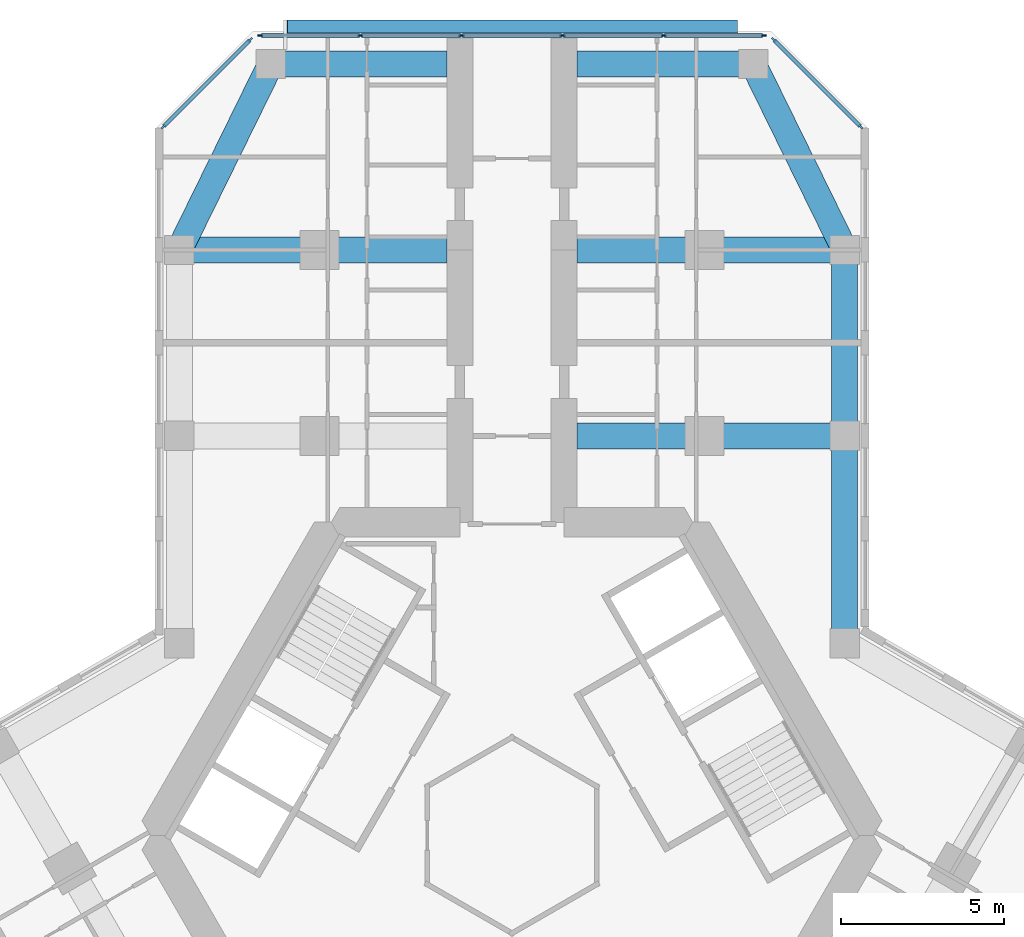
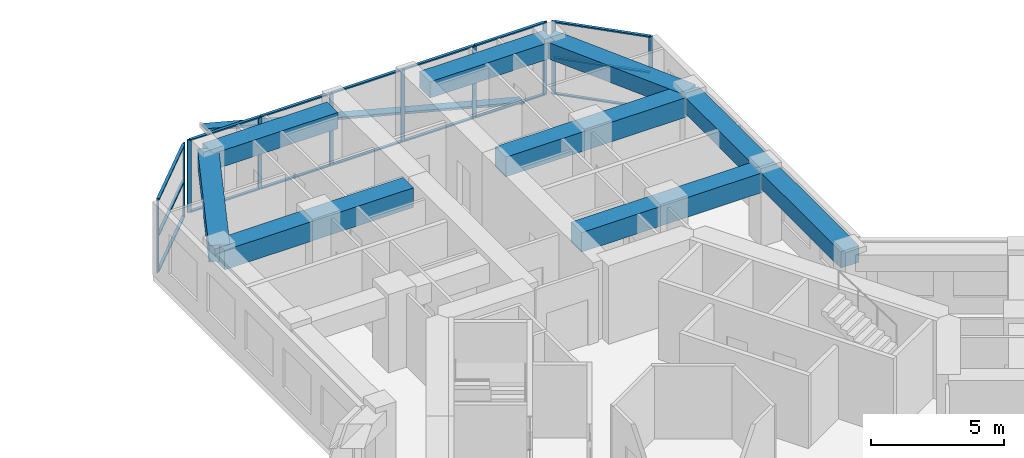
# One storey, part 7 of 19: 27 members, 9 beams, 3 elements without a shape of their own.
"""IFC4 building model written with IfcOpenShell, lengths in metres."""

from ifc_helpers import new_model, si_unit, direction, frame, origin, origin_2d, place, context, subcontext, project, spatial, rectangle, extrude, material, material_profile, profile_set, type_object, element, aggregate, save


model = new_model("IFC4")

# Units and contexts
model_context = context("Model", 3, precision=1e-05, world=origin(), true_north=direction((0.0, 1.0)))
body_context = subcontext(model_context, "Body", "Model", "MODEL_VIEW")
ifc_project = project(units=[si_unit("LENGTHUNIT", "METRE"), si_unit("AREAUNIT", "SQUARE_METRE"), si_unit("VOLUMEUNIT", "CUBIC_METRE"), si_unit("PLANEANGLEUNIT", "RADIAN"), si_unit("MASSUNIT", "GRAM", prefix="KILO")], contexts=[model_context])

# Site, building, storey
site_placement = place(None, origin())
site = spatial("IfcSite", under=ifc_project, at=site_placement, CompositionType="ELEMENT")
building_placement = place(site_placement, origin())
building = spatial("IfcBuilding", under=site, at=building_placement, Name="Kosmar Iwan School Tower", CompositionType="ELEMENT")
storey_placement = place(building_placement, frame((0.0, 0.0, 168.800048828125)))
storey = spatial("IfcBuildingStorey", under=building, at=storey_placement, Name="L42", CompositionType="ELEMENT", Elevation=168.800048828125)

# Member
ifc_material_1 = material(Name="Black anodised aluminium", Category="aluminium")
ifc_material_profile_1 = material_profile(ifc_material_1, rectangle(XDim=0.10009765625, YDim=0.39990234375, at=origin_2d()), Name="FIN 100x400")
ifc_profile_set_1 = profile_set([ifc_material_profile_1], Name="Black anodised aluminium")
member_type_1 = type_object("IfcMemberType", Name="Diagonal fin 100x400", PredefinedType="USERDEFINED", material=ifc_profile_set_1)
member_1_placement = place(storey_placement, frame((6.898193359375, 24.800048828125, -0.150146484375), z_axis=(-0.967599450335, 0.0, 0.252490205179), x_axis=(0.252490205179, 0.0, 0.967599450335)))
element("IfcMember", 1, at=member_1_placement, inside=storey, type_object=member_type_1, Name="Diagonal fin L42-F08", ObjectType="FIN", PredefinedType="USERDEFINED", context=body_context, shape_type="SweptSolid", body=[
    extrude(rectangle(XDim=0.10009765625, YDim=0.39990234375, at=origin_2d()), origin(), (0.0, 0.0, 1.0), 14.25830078125),
])

# Curtain wall, members
ifc_material_2 = material(Name="Dark glass in black aluminium frame", Category="aluminium")
curtain_wall_type_1 = type_object("IfcCurtainWallType", Name="Chamfer curtain wall dark glass", PredefinedType="USERDEFINED", material=ifc_material_2)
curtain_wall_1_placement = place(storey_placement, origin())
curtain_wall_1 = element("IfcCurtainWall", 2, at=curtain_wall_1_placement, inside=storey, type_object=curtain_wall_type_1, Name="Curtain wall L42-F07", ObjectType="FACETED CURTAIN WALL", PredefinedType="USERDEFINED")
ifc_material_3 = material(Name="Black anodised aluminium", Category="aluminium")
ifc_material_profile_2 = material_profile(ifc_material_3, rectangle(XDim=0.06005859375, YDim=0.159912109375, at=origin_2d()), Name="MULLION 60x160")
ifc_profile_set_2 = profile_set([ifc_material_profile_2], Name="Black anodised aluminium")
member_type_2 = type_object("IfcMemberType", Name="Mullion 60x160", PredefinedType="MULLION", material=ifc_profile_set_2)
member_2_placement = place(storey_placement, frame((10.69775390625, 21.7255859375, 0.0), z_axis=(0.0, 0.0, 1.0), x_axis=(-0.707106781187, -0.707106781187, 0.0)))
member_2 = element("IfcMember", 3, at=member_2_placement, type_object=member_type_2, Name="CW2 mullion 1", PredefinedType="MULLION", context=body_context, shape_type="SweptSolid", body=[
    extrude(rectangle(XDim=0.06005859375, YDim=0.159912109375, at=origin_2d()), origin(), (0.0, 0.0, 1.0), 3.349853515625),
])
member_3_placement = place(storey_placement, frame((8.025390625, 24.397705078125, 0.0), z_axis=(0.0, 0.0, 1.0), x_axis=(-0.707106781187, -0.707106781187, 0.0)))
member_3 = element("IfcMember", 4, at=member_3_placement, type_object=member_type_2, Name="CW2 mullion 2", PredefinedType="MULLION", context=body_context, shape_type="SweptSolid", body=[
    extrude(rectangle(XDim=0.06005859375, YDim=0.159912109375, at=origin_2d()), origin(), (0.0, 0.0, 1.0), 3.349853515625),
])

ifc_material_4 = material(Name="Dark glass in black aluminium frame", Category="aluminium")
curtain_wall_type_2 = type_object("IfcCurtainWallType", Name="Tower curtain wall dark glass", PredefinedType="USERDEFINED", material=ifc_material_4)
curtain_wall_2_placement = place(storey_placement, origin())
curtain_wall_2 = element("IfcCurtainWall", 5, at=curtain_wall_2_placement, inside=storey, type_object=curtain_wall_type_2, Name="Curtain wall L42-F08", ObjectType="UNITISED CURTAIN WALL", PredefinedType="USERDEFINED")
member_4_placement = place(storey_placement, frame((7.71826171875, 24.52490234375, 0.0), z_axis=(0.0, 0.0, 1.0), x_axis=(0.0, -1.0, 0.0)))
member_4 = element("IfcMember", 6, at=member_4_placement, type_object=member_type_2, Name="CW1 mullion 1", PredefinedType="MULLION", context=body_context, shape_type="SweptSolid", body=[
    extrude(rectangle(XDim=0.06005859375, YDim=0.159912109375, at=origin_2d()), origin(), (0.0, 0.0, 1.0), 3.349853515625),
])
member_5_placement = place(storey_placement, frame((4.64892578125, 24.52490234375, 0.0), z_axis=(0.0, 0.0, 1.0), x_axis=(0.0, -1.0, 0.0)))
member_5 = element("IfcMember", 7, at=member_5_placement, type_object=member_type_2, Name="CW1 mullion 2", PredefinedType="MULLION", context=body_context, shape_type="SweptSolid", body=[
    extrude(rectangle(XDim=0.06005859375, YDim=0.159912109375, at=origin_2d()), origin(), (0.0, 0.0, 1.0), 3.349853515625),
])
member_6_placement = place(storey_placement, frame((1.549560546875, 24.52490234375, 0.0), z_axis=(0.0, 0.0, 1.0), x_axis=(0.0, -1.0, 0.0)))
member_6 = element("IfcMember", 8, at=member_6_placement, type_object=member_type_2, Name="CW1 mullion 3", PredefinedType="MULLION", context=body_context, shape_type="SweptSolid", body=[
    extrude(rectangle(XDim=0.06005859375, YDim=0.159912109375, at=origin_2d()), origin(), (0.0, 0.0, 1.0), 3.349853515625),
])
member_7_placement = place(storey_placement, frame((-1.549560546875, 24.52490234375, 0.0), z_axis=(0.0, 0.0, 1.0), x_axis=(0.0, -1.0, 0.0)))
member_7 = element("IfcMember", 9, at=member_7_placement, type_object=member_type_2, Name="CW1 mullion 4", PredefinedType="MULLION", context=body_context, shape_type="SweptSolid", body=[
    extrude(rectangle(XDim=0.06005859375, YDim=0.159912109375, at=origin_2d()), origin(), (0.0, 0.0, 1.0), 3.349853515625),
])
member_8_placement = place(storey_placement, frame((-4.64892578125, 24.52490234375, 0.0), z_axis=(0.0, 0.0, 1.0), x_axis=(0.0, -1.0, 0.0)))
member_8 = element("IfcMember", 10, at=member_8_placement, type_object=member_type_2, Name="CW1 mullion 5", PredefinedType="MULLION", context=body_context, shape_type="SweptSolid", body=[
    extrude(rectangle(XDim=0.06005859375, YDim=0.159912109375, at=origin_2d()), origin(), (0.0, 0.0, 1.0), 3.349853515625),
])
member_9_placement = place(storey_placement, frame((-7.71826171875, 24.52490234375, 0.0), z_axis=(0.0, 0.0, 1.0), x_axis=(0.0, -1.0, 0.0)))
member_9 = element("IfcMember", 11, at=member_9_placement, type_object=member_type_2, Name="CW1 mullion 6", PredefinedType="MULLION", context=body_context, shape_type="SweptSolid", body=[
    extrude(rectangle(XDim=0.06005859375, YDim=0.159912109375, at=origin_2d()), origin(), (0.0, 0.0, 1.0), 3.349853515625),
])

curtain_wall_3_placement = place(storey_placement, origin())
curtain_wall_3 = element("IfcCurtainWall", 12, at=curtain_wall_3_placement, inside=storey, type_object=curtain_wall_type_1, Name="Curtain wall L42-F09", ObjectType="FACETED CURTAIN WALL", PredefinedType="USERDEFINED")
member_10_placement = place(storey_placement, frame((-8.025390625, 24.397705078125, 0.0), z_axis=(0.0, 0.0, 1.0), x_axis=(0.707106781187, -0.707106781187, 0.0)))
member_10 = element("IfcMember", 13, at=member_10_placement, type_object=member_type_2, Name="CW2 mullion 1", PredefinedType="MULLION", context=body_context, shape_type="SweptSolid", body=[
    extrude(rectangle(XDim=0.06005859375, YDim=0.159912109375, at=origin_2d()), origin(), (0.0, 0.0, 1.0), 3.349853515625),
])
member_11_placement = place(storey_placement, frame((-10.69775390625, 21.7255859375, 0.0), z_axis=(0.0, 0.0, 1.0), x_axis=(0.707106781187, -0.707106781187, 0.0)))
member_11 = element("IfcMember", 14, at=member_11_placement, type_object=member_type_2, Name="CW2 mullion 2", PredefinedType="MULLION", context=body_context, shape_type="SweptSolid", body=[
    extrude(rectangle(XDim=0.06005859375, YDim=0.159912109375, at=origin_2d()), origin(), (0.0, 0.0, 1.0), 3.349853515625),
])

# Beams
ifc_material_5 = material(Name="Concrete C50/60", Category="concrete")
ifc_material_profile_3 = material_profile(ifc_material_5, rectangle(XDim=0.800048828125, YDim=0.75, at=origin_2d()), Name="RC 800x750")
ifc_profile_set_3 = profile_set([ifc_material_profile_3], Name="Concrete C50/60")
beam_type_1 = type_object("IfcBeamType", Name="RC edge beam 800x750", PredefinedType="BEAM", material=ifc_profile_set_3)
beam_1_placement = place(storey_placement, frame((10.199951171875, 5.888916015625, 2.974853515625), z_axis=(0.0, 1.0, 0.0), x_axis=(-1.0, 0.0, 0.0)))
element("IfcBeam", 15, at=beam_1_placement, inside=storey, type_object=beam_type_1, Name="Edge beam AR1", PredefinedType="BEAM", context=body_context, shape_type="SweptSolid", body=[
    extrude(rectangle(XDim=0.800048828125, YDim=0.75, at=origin_2d()), origin(), (0.0, 0.0, 1.0), 6.361083984375),
])
beam_2_placement = place(storey_placement, frame((10.199951171875, 12.25, 2.974853515625), z_axis=(0.0, 1.0, 0.0), x_axis=(-1.0, 0.0, 0.0)))
element("IfcBeam", 16, at=beam_2_placement, inside=storey, type_object=beam_type_1, Name="Edge beam AR2", PredefinedType="BEAM", context=body_context, shape_type="SweptSolid", body=[
    extrude(rectangle(XDim=0.800048828125, YDim=0.75, at=origin_2d()), origin(), (0.0, 0.0, 1.0), 5.699951171875),
])
ifc_material_6 = material(Name="Concrete C50/60", Category="concrete")
ifc_material_profile_4 = material_profile(ifc_material_6, rectangle(XDim=0.800048828125, YDim=0.75, at=origin_2d()), Name="RC 800x750")
ifc_profile_set_4 = profile_set([ifc_material_profile_4], Name="Concrete C50/60")
beam_type_2 = type_object("IfcBeamType", Name="RC tip beam 800x750", PredefinedType="BEAM", material=ifc_profile_set_4)
beam_3_placement = place(storey_placement, frame((-10.199951171875, 17.949951171875, 2.974853515625), z_axis=(0.440913116462, 0.897549788999, 0.0), x_axis=(-0.897549788999, 0.440913116462, 0.0)))
element("IfcBeam", 17, at=beam_3_placement, inside=storey, type_object=beam_type_2, Name="Tip beam AL", PredefinedType="BEAM", context=body_context, shape_type="SweptSolid", body=[
    extrude(rectangle(XDim=0.800048828125, YDim=0.75, at=origin_2d()), origin(), (0.0, 0.0, 1.0), 6.3505859375),
])
beam_4_placement = place(storey_placement, frame((-7.39990234375, 23.64990234375, 2.974853515625), z_axis=(1.0, 0.0, 0.0), x_axis=(0.0, 1.0, 0.0)))
element("IfcBeam", 18, at=beam_4_placement, inside=storey, type_object=beam_type_2, Name="Tip beam AL to corridor wall", PredefinedType="BEAM", context=body_context, shape_type="SweptSolid", body=[
    extrude(rectangle(XDim=0.800048828125, YDim=0.75, at=origin_2d()), origin(), (0.0, 0.0, 1.0), 5.39990234375),
])
beam_5_placement = place(storey_placement, frame((10.199951171875, 17.949951171875, 2.974853515625), z_axis=(-0.440913116462, 0.897549788999, 0.0), x_axis=(-0.897549788999, -0.440913116462, 0.0)))
element("IfcBeam", 19, at=beam_5_placement, inside=storey, type_object=beam_type_2, Name="Tip beam AR", PredefinedType="BEAM", context=body_context, shape_type="SweptSolid", body=[
    extrude(rectangle(XDim=0.800048828125, YDim=0.75, at=origin_2d()), origin(), (0.0, 0.0, 1.0), 6.3505859375),
])
beam_6_placement = place(storey_placement, frame((7.39990234375, 23.64990234375, 2.974853515625), z_axis=(-1.0, 0.0, 0.0), x_axis=(0.0, -1.0, 0.0)))
element("IfcBeam", 20, at=beam_6_placement, inside=storey, type_object=beam_type_2, Name="Tip beam AR to corridor wall", PredefinedType="BEAM", context=body_context, shape_type="SweptSolid", body=[
    extrude(rectangle(XDim=0.800048828125, YDim=0.75, at=origin_2d()), origin(), (0.0, 0.0, 1.0), 5.39990234375),
])
ifc_material_7 = material(Name="Concrete C50/60", Category="concrete")
ifc_material_profile_5 = material_profile(ifc_material_7, rectangle(XDim=0.800048828125, YDim=0.89990234375, at=origin_2d()), Name="RC 800x900")
ifc_profile_set_5 = profile_set([ifc_material_profile_5], Name="Concrete C50/60")
beam_type_3 = type_object("IfcBeamType", Name="RC transverse beam 800x900", PredefinedType="BEAM", material=ifc_profile_set_5)
for number, where, z_axis, x_axis, name in (
    (21, (-10.199951171875, 17.949951171875, 2.89990234375), (1.0, 0.0, 0.0), (0.0, 1.0, 0.0), "Transverse beam AL2"),
    (22, (10.199951171875, 12.25, 2.89990234375), (-1.0, 0.0, 0.0), (0.0, -1.0, 0.0), "Transverse beam AR1"),
    (23, (10.199951171875, 17.949951171875, 2.89990234375), (-1.0, 0.0, 0.0), (0.0, -1.0, 0.0), "Transverse beam AR2"),
):
    element("IfcBeam", number, at=place(storey_placement, frame(where, z_axis=z_axis, x_axis=x_axis)), inside=storey, type_object=beam_type_3, Name=name, PredefinedType="BEAM", context=body_context, shape_type="SweptSolid", body=[
        extrude(rectangle(XDim=0.800048828125, YDim=0.89990234375, at=origin_2d()), origin(), (0.0, 0.0, 1.0), 8.199951171875),
    ])

# Member
ifc_material_8 = material(Name="Black anodised aluminium", Category="aluminium")
ifc_material_profile_6 = material_profile(ifc_material_8, rectangle(XDim=0.1201171875, YDim=0.06005859375, at=origin_2d()), Name="TRANSOM 60x120")
ifc_profile_set_6 = profile_set([ifc_material_profile_6], Name="Black anodised aluminium")
member_type_3 = type_object("IfcMemberType", Name="Transom 60x120", PredefinedType="USERDEFINED", material=ifc_profile_set_6)
member_12_placement = place(storey_placement, frame((10.676513671875, 21.746826171875, 0.030029296875), z_axis=(-0.707139603466, 0.707073957383, 0.0), x_axis=(-0.707073957383, -0.707139603466, 0.0)))
member_12 = element("IfcMember", 24, at=member_12_placement, type_object=member_type_3, Name="CW2 transom 1.1", ObjectType="TRANSOM", PredefinedType="USERDEFINED", context=body_context, shape_type="SweptSolid", body=[
    extrude(rectangle(XDim=0.1201171875, YDim=0.06005859375, at=origin_2d()), origin(), (0.0, 0.0, 1.0), 3.718994140625),
])

member_13_placement = place(storey_placement, frame((10.676513671875, 21.746826171875, 1.675048828125), z_axis=(-0.707139603466, 0.707073957383, 0.0), x_axis=(-0.707073957383, -0.707139603466, 0.0)))
member_13 = element("IfcMember", 25, at=member_13_placement, type_object=member_type_3, Name="CW2 transom 1.2", ObjectType="TRANSOM", PredefinedType="USERDEFINED", context=body_context, shape_type="SweptSolid", body=[
    extrude(rectangle(XDim=0.1201171875, YDim=0.06005859375, at=origin_2d()), origin(), (0.0, 0.0, 1.0), 3.718994140625),
])

member_14_placement = place(storey_placement, frame((10.676513671875, 21.746826171875, 3.320068359375), z_axis=(-0.707139603466, 0.707073957383, 0.0), x_axis=(-0.707073957383, -0.707139603466, 0.0)))
member_14 = element("IfcMember", 26, at=member_14_placement, type_object=member_type_3, Name="CW2 transom 1.3", ObjectType="TRANSOM", PredefinedType="USERDEFINED", context=body_context, shape_type="SweptSolid", body=[
    extrude(rectangle(XDim=0.1201171875, YDim=0.06005859375, at=origin_2d()), origin(), (0.0, 0.0, 1.0), 3.718994140625),
])

aggregate(curtain_wall_1, [member_2, member_3, member_12, member_13, member_14])

member_15_placement = place(storey_placement, frame((7.688232421875, 24.52490234375, 0.030029296875), z_axis=(-1.0, 0.0, 0.0), x_axis=(0.0, -1.0, 0.0)))
member_15 = element("IfcMember", 27, at=member_15_placement, type_object=member_type_3, Name="CW1 transom 1.1", ObjectType="TRANSOM", PredefinedType="USERDEFINED", context=body_context, shape_type="SweptSolid", body=[
    extrude(rectangle(XDim=0.1201171875, YDim=0.06005859375, at=origin_2d()), origin(), (0.0, 0.0, 1.0), 3.00927734375),
])

member_16_placement = place(storey_placement, frame((7.688232421875, 24.52490234375, 3.320068359375), z_axis=(-1.0, 0.0, 0.0), x_axis=(0.0, -1.0, 0.0)))
member_16 = element("IfcMember", 28, at=member_16_placement, type_object=member_type_3, Name="CW1 transom 1.2", ObjectType="TRANSOM", PredefinedType="USERDEFINED", context=body_context, shape_type="SweptSolid", body=[
    extrude(rectangle(XDim=0.1201171875, YDim=0.06005859375, at=origin_2d()), origin(), (0.0, 0.0, 1.0), 3.00927734375),
])

member_17_placement = place(storey_placement, frame((4.618896484375, 24.52490234375, 0.030029296875), z_axis=(-1.0, 0.0, 0.0), x_axis=(0.0, -1.0, 0.0)))
member_17 = element("IfcMember", 29, at=member_17_placement, type_object=member_type_3, Name="CW1 transom 2.1", ObjectType="TRANSOM", PredefinedType="USERDEFINED", context=body_context, shape_type="SweptSolid", body=[
    extrude(rectangle(XDim=0.1201171875, YDim=0.06005859375, at=origin_2d()), origin(), (0.0, 0.0, 1.0), 3.039306640625),
])

member_18_placement = place(storey_placement, frame((4.618896484375, 24.52490234375, 3.320068359375), z_axis=(-1.0, 0.0, 0.0), x_axis=(0.0, -1.0, 0.0)))
member_18 = element("IfcMember", 30, at=member_18_placement, type_object=member_type_3, Name="CW1 transom 2.2", ObjectType="TRANSOM", PredefinedType="USERDEFINED", context=body_context, shape_type="SweptSolid", body=[
    extrude(rectangle(XDim=0.1201171875, YDim=0.06005859375, at=origin_2d()), origin(), (0.0, 0.0, 1.0), 3.039306640625),
])

member_19_placement = place(storey_placement, frame((1.51953125, 24.52490234375, 0.030029296875), z_axis=(-1.0, 0.0, 0.0), x_axis=(0.0, -1.0, 0.0)))
member_19 = element("IfcMember", 31, at=member_19_placement, type_object=member_type_3, Name="CW1 transom 3.1", ObjectType="TRANSOM", PredefinedType="USERDEFINED", context=body_context, shape_type="SweptSolid", body=[
    extrude(rectangle(XDim=0.1201171875, YDim=0.06005859375, at=origin_2d()), origin(), (0.0, 0.0, 1.0), 3.0390625),
])

member_20_placement = place(storey_placement, frame((1.51953125, 24.52490234375, 3.320068359375), z_axis=(-1.0, 0.0, 0.0), x_axis=(0.0, -1.0, 0.0)))
member_20 = element("IfcMember", 32, at=member_20_placement, type_object=member_type_3, Name="CW1 transom 3.2", ObjectType="TRANSOM", PredefinedType="USERDEFINED", context=body_context, shape_type="SweptSolid", body=[
    extrude(rectangle(XDim=0.1201171875, YDim=0.06005859375, at=origin_2d()), origin(), (0.0, 0.0, 1.0), 3.0390625),
])

member_21_placement = place(storey_placement, frame((-1.57958984375, 24.52490234375, 0.030029296875), z_axis=(-1.0, 0.0, 0.0), x_axis=(0.0, -1.0, 0.0)))
member_21 = element("IfcMember", 33, at=member_21_placement, type_object=member_type_3, Name="CW1 transom 4.1", ObjectType="TRANSOM", PredefinedType="USERDEFINED", context=body_context, shape_type="SweptSolid", body=[
    extrude(rectangle(XDim=0.1201171875, YDim=0.06005859375, at=origin_2d()), origin(), (0.0, 0.0, 1.0), 3.039306640625),
])

member_22_placement = place(storey_placement, frame((-1.57958984375, 24.52490234375, 3.320068359375), z_axis=(-1.0, 0.0, 0.0), x_axis=(0.0, -1.0, 0.0)))
member_22 = element("IfcMember", 34, at=member_22_placement, type_object=member_type_3, Name="CW1 transom 4.2", ObjectType="TRANSOM", PredefinedType="USERDEFINED", context=body_context, shape_type="SweptSolid", body=[
    extrude(rectangle(XDim=0.1201171875, YDim=0.06005859375, at=origin_2d()), origin(), (0.0, 0.0, 1.0), 3.039306640625),
])

member_23_placement = place(storey_placement, frame((-4.678955078125, 24.52490234375, 0.030029296875), z_axis=(-1.0, 0.0, 0.0), x_axis=(0.0, -1.0, 0.0)))
member_23 = element("IfcMember", 35, at=member_23_placement, type_object=member_type_3, Name="CW1 transom 5.1", ObjectType="TRANSOM", PredefinedType="USERDEFINED", context=body_context, shape_type="SweptSolid", body=[
    extrude(rectangle(XDim=0.1201171875, YDim=0.06005859375, at=origin_2d()), origin(), (0.0, 0.0, 1.0), 3.00927734375),
])

member_24_placement = place(storey_placement, frame((-4.678955078125, 24.52490234375, 3.320068359375), z_axis=(-1.0, 0.0, 0.0), x_axis=(0.0, -1.0, 0.0)))
member_24 = element("IfcMember", 36, at=member_24_placement, type_object=member_type_3, Name="CW1 transom 5.2", ObjectType="TRANSOM", PredefinedType="USERDEFINED", context=body_context, shape_type="SweptSolid", body=[
    extrude(rectangle(XDim=0.1201171875, YDim=0.06005859375, at=origin_2d()), origin(), (0.0, 0.0, 1.0), 3.00927734375),
])

aggregate(curtain_wall_2, [member_4, member_5, member_6, member_7, member_8, member_9, member_15, member_16, member_17, member_18, member_19, member_20, member_21, member_22, member_23, member_24])

member_25_placement = place(storey_placement, frame((-8.046630859375, 24.37646484375, 0.030029296875), z_axis=(-0.707139603466, -0.707073957383, 0.0), x_axis=(0.707073957383, -0.707139603466, 0.0)))
member_25 = element("IfcMember", 37, at=member_25_placement, type_object=member_type_3, Name="CW2 transom 1.1", ObjectType="TRANSOM", PredefinedType="USERDEFINED", context=body_context, shape_type="SweptSolid", body=[
    extrude(rectangle(XDim=0.1201171875, YDim=0.06005859375, at=origin_2d()), origin(), (0.0, 0.0, 1.0), 3.718994140625),
])

member_26_placement = place(storey_placement, frame((-8.046630859375, 24.37646484375, 1.675048828125), z_axis=(-0.707139603466, -0.707073957383, 0.0), x_axis=(0.707073957383, -0.707139603466, 0.0)))
member_26 = element("IfcMember", 38, at=member_26_placement, type_object=member_type_3, Name="CW2 transom 1.2", ObjectType="TRANSOM", PredefinedType="USERDEFINED", context=body_context, shape_type="SweptSolid", body=[
    extrude(rectangle(XDim=0.1201171875, YDim=0.06005859375, at=origin_2d()), origin(), (0.0, 0.0, 1.0), 3.718994140625),
])

member_27_placement = place(storey_placement, frame((-8.046630859375, 24.37646484375, 3.320068359375), z_axis=(-0.707139603466, -0.707073957383, 0.0), x_axis=(0.707073957383, -0.707139603466, 0.0)))
member_27 = element("IfcMember", 39, at=member_27_placement, type_object=member_type_3, Name="CW2 transom 1.3", ObjectType="TRANSOM", PredefinedType="USERDEFINED", context=body_context, shape_type="SweptSolid", body=[
    extrude(rectangle(XDim=0.1201171875, YDim=0.06005859375, at=origin_2d()), origin(), (0.0, 0.0, 1.0), 3.718994140625),
])

aggregate(curtain_wall_3, [member_10, member_11, member_25, member_26, member_27])

save(model, "model.ifc")
